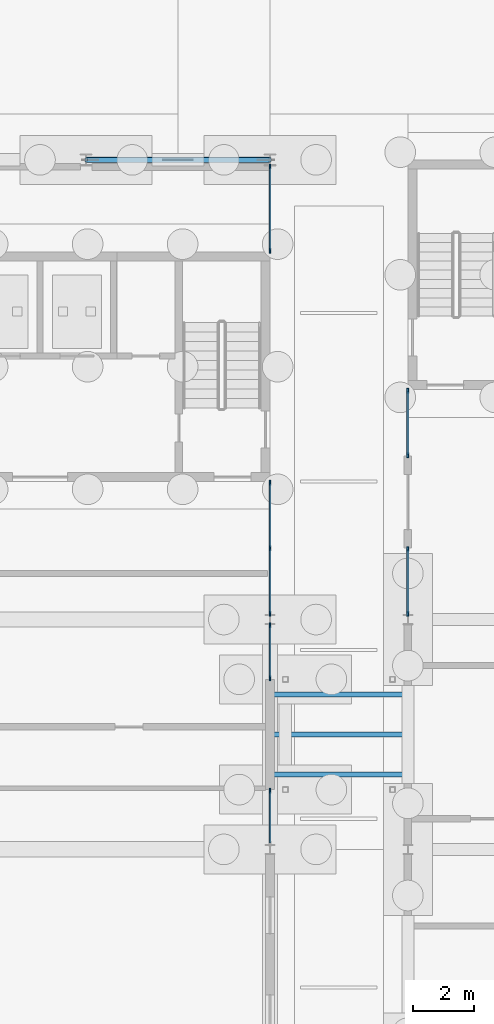
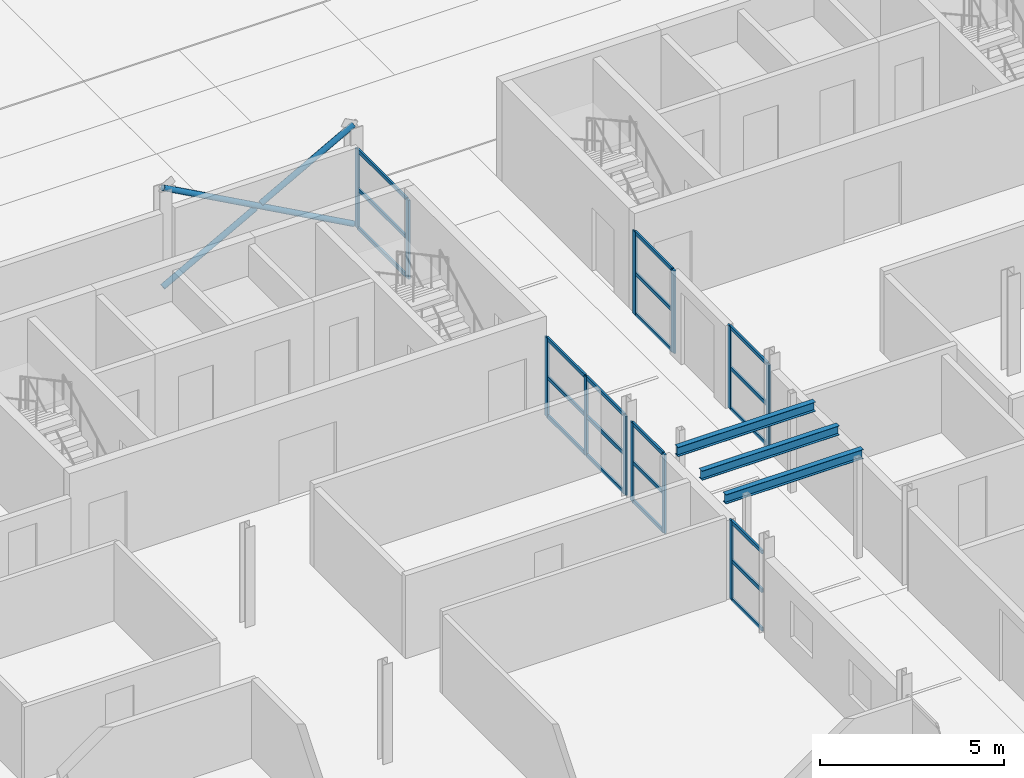
# One storey, part 47 of 130: 36 members, 3 beams, 6 elements without a shape of their own.
"""IFC4 building model written with IfcOpenShell, lengths in metres."""

from ifc_helpers import new_model, si_unit, direction, frame, origin, origin_2d, place, context, subcontext, project, spatial, rectangle, hollow_circle, i_section, extrude, material, material_profile, profile_set, type_object, element, aggregate, save


model = new_model("IFC4")

# Units and contexts
model_context = context("Model", 3, precision=1e-05, world=origin(), true_north=direction((0.0, 1.0)))
body_context = subcontext(model_context, "Body", "Model", "MODEL_VIEW")
ifc_project = project(units=[si_unit("LENGTHUNIT", "METRE"), si_unit("AREAUNIT", "SQUARE_METRE"), si_unit("VOLUMEUNIT", "CUBIC_METRE"), si_unit("PLANEANGLEUNIT", "RADIAN"), si_unit("MASSUNIT", "GRAM", prefix="KILO")], contexts=[model_context])

# Site, building, storey
site_placement = place(None, origin())
site = spatial("IfcSite", under=ifc_project, at=site_placement, CompositionType="ELEMENT")
building_placement = place(site_placement, origin())
building = spatial("IfcBuilding", under=site, at=building_placement, Name="Parallax Yard Mobility Hub", CompositionType="ELEMENT")
storey_placement = place(building_placement, origin())
storey = spatial("IfcBuildingStorey", under=building, at=storey_placement, Name="L00", CompositionType="ELEMENT", Elevation=0.0)

# Beams
ifc_material_1 = material(Name="Steel ASTM A992", Category="steel")
ifc_material_profile_1 = material_profile(ifc_material_1, i_section(OverallWidth=0.1650390625, OverallDepth=0.31005859375, WebThickness=0.005859375, FlangeThickness=0.009765625, at=origin_2d()), Name="W310x39")
ifc_profile_set_1 = profile_set([ifc_material_profile_1], Name="Steel ASTM A992")
beam_type = type_object("IfcBeamType", Name="Bridge girder W310x39", PredefinedType="BEAM", material=ifc_profile_set_1)
for number, where, z_axis, x_axis, name in (
    (1, (93.089111328125, 32.449951171875, 3.0048828125), (1.0, 0.0, 0.0), (0.0, 1.0, 0.0), "Bridge BR1 level L01 girder 1"),
    (2, (93.089111328125, 33.75, 3.0048828125), (1.0, 0.0, 0.0), (0.0, 1.0, 0.0), "Bridge BR1 level L01 girder 2"),
    (3, (93.089111328125, 35.050048828125, 3.0048828125), (1.0, 0.0, 0.0), (0.0, 1.0, 0.0), "Bridge BR1 level L01 girder 3"),
):
    element("IfcBeam", number, at=place(storey_placement, frame(where, z_axis=z_axis, x_axis=x_axis)), inside=storey, type_object=beam_type, Name=name, PredefinedType="BEAM", context=body_context, shape_type="SweptSolid", body=[
        extrude(i_section(OverallWidth=0.1650390625, OverallDepth=0.31005859375, WebThickness=0.005859375, FlangeThickness=0.009765625, at=origin_2d()), origin(), (0.0, 0.0, 1.0), 4.3212890625),
    ])

# Curtain wall, member
ifc_material_2 = material(Name="Thermally broken aluminium curtain wall system", Category="aluminium")
curtain_wall_type = type_object("IfcCurtainWallType", Name="Curtain wall run 60 x 160 frame", PredefinedType="NOTDEFINED", material=ifc_material_2)
curtain_wall_1_placement = place(storey_placement, origin())
curtain_wall_1 = element("IfcCurtainWall", 4, at=curtain_wall_1_placement, inside=storey, type_object=curtain_wall_type, Name="Curtain wall run Bus and taxi deck east end bay 4 level L00", PredefinedType="NOTDEFINED")
ifc_material_3 = material(Name="Extruded aluminium", Category="aluminium")
ifc_material_profile_2 = material_profile(ifc_material_3, rectangle(XDim=0.06005859375, YDim=0.159912109375, at=origin_2d()), Name="Mullion 60 x 160")
ifc_profile_set_2 = profile_set([ifc_material_profile_2], Name="Extruded aluminium")
member_type_1 = type_object("IfcMemberType", Name="Mullion 60 x 160", PredefinedType="MULLION", material=ifc_profile_set_2)
member_1_placement = place(storey_placement, frame((93.0, 31.919921875, 0.0), z_axis=(0.0, 0.0, 1.0), x_axis=(-1.0, 0.0, 0.0)))
member_1 = element("IfcMember", 5, at=member_1_placement, type_object=member_type_1, Name="CW1 mullion 2", PredefinedType="MULLION", context=body_context, shape_type="SweptSolid", body=[
    extrude(rectangle(XDim=0.06005859375, YDim=0.159912109375, at=origin_2d()), origin(), (0.0, 0.0, 1.0), 2.626953125),
])

# Curtain wall, members
curtain_wall_2_placement = place(storey_placement, origin())
curtain_wall_2 = element("IfcCurtainWall", 6, at=curtain_wall_2_placement, inside=storey, type_object=curtain_wall_type, Name="Curtain wall run Bus and taxi deck east end bay 4 level L00", PredefinedType="NOTDEFINED")
member_2_placement = place(storey_placement, frame((93.0, 35.580078125, 0.0), z_axis=(0.0, 0.0, 1.0), x_axis=(-1.0, 0.0, 0.0)))
member_2 = element("IfcMember", 7, at=member_2_placement, type_object=member_type_1, Name="CW1 mullion 1", PredefinedType="MULLION", context=body_context, shape_type="SweptSolid", body=[
    extrude(rectangle(XDim=0.06005859375, YDim=0.159912109375, at=origin_2d()), origin(), (0.0, 0.0, 1.0), 2.626953125),
])
member_3_placement = place(storey_placement, frame((93.0, 37.31640625, 0.0), z_axis=(0.0, 0.0, 1.0), x_axis=(-1.0, 0.0, 0.0)))
member_3 = element("IfcMember", 8, at=member_3_placement, type_object=member_type_1, Name="CW1 mullion 2", PredefinedType="MULLION", context=body_context, shape_type="SweptSolid", body=[
    extrude(rectangle(XDim=0.06005859375, YDim=0.159912109375, at=origin_2d()), origin(), (0.0, 0.0, 1.0), 2.626953125),
])

curtain_wall_3_placement = place(storey_placement, origin())
curtain_wall_3 = element("IfcCurtainWall", 9, at=curtain_wall_3_placement, inside=storey, type_object=curtain_wall_type, Name="Curtain wall run Bus and taxi deck east end bay 5 level L00", PredefinedType="NOTDEFINED")
member_4_placement = place(storey_placement, frame((93.0, 37.68359375, 0.0), z_axis=(0.0, 0.0, 1.0), x_axis=(-1.0, 0.0, 0.0)))
member_4 = element("IfcMember", 10, at=member_4_placement, type_object=member_type_1, Name="CW1 mullion 1", PredefinedType="MULLION", context=body_context, shape_type="SweptSolid", body=[
    extrude(rectangle(XDim=0.06005859375, YDim=0.159912109375, at=origin_2d()), origin(), (0.0, 0.0, 1.0), 2.626953125),
])
member_5_placement = place(storey_placement, frame((93.0, 39.82666015625, 0.0), z_axis=(0.0, 0.0, 1.0), x_axis=(-1.0, 0.0, 0.0)))
member_5 = element("IfcMember", 11, at=member_5_placement, type_object=member_type_1, Name="CW1 mullion 2", PredefinedType="MULLION", context=body_context, shape_type="SweptSolid", body=[
    extrude(rectangle(XDim=0.06005859375, YDim=0.159912109375, at=origin_2d()), origin(), (0.0, 0.0, 1.0), 2.626953125),
])
member_6_placement = place(storey_placement, frame((93.0, 41.969970703125, 0.0), z_axis=(0.0, 0.0, 1.0), x_axis=(-1.0, 0.0, 0.0)))
member_6 = element("IfcMember", 12, at=member_6_placement, type_object=member_type_1, Name="CW1 mullion 3", PredefinedType="MULLION", context=body_context, shape_type="SweptSolid", body=[
    extrude(rectangle(XDim=0.06005859375, YDim=0.159912109375, at=origin_2d()), origin(), (0.0, 0.0, 1.0), 2.626953125),
])

curtain_wall_4_placement = place(storey_placement, origin())
curtain_wall_4 = element("IfcCurtainWall", 13, at=curtain_wall_4_placement, inside=storey, type_object=curtain_wall_type, Name="Curtain wall run Bus and taxi deck east end bay 6 level L00", PredefinedType="NOTDEFINED")
member_7_placement = place(storey_placement, frame((93.0, 49.530029296875, 0.0), z_axis=(0.0, 0.0, 1.0), x_axis=(-1.0, 0.0, 0.0)))
member_7 = element("IfcMember", 14, at=member_7_placement, type_object=member_type_1, Name="CW1 mullion 1", PredefinedType="MULLION", context=body_context, shape_type="SweptSolid", body=[
    extrude(rectangle(XDim=0.06005859375, YDim=0.159912109375, at=origin_2d()), origin(), (0.0, 0.0, 1.0), 2.626953125),
])
member_8_placement = place(storey_placement, frame((93.0, 52.283447265625, 0.0), z_axis=(0.0, 0.0, 1.0), x_axis=(-1.0, 0.0, 0.0)))
member_8 = element("IfcMember", 15, at=member_8_placement, type_object=member_type_1, Name="CW1 mullion 2", PredefinedType="MULLION", context=body_context, shape_type="SweptSolid", body=[
    extrude(rectangle(XDim=0.06005859375, YDim=0.159912109375, at=origin_2d()), origin(), (0.0, 0.0, 1.0), 2.626953125),
])

curtain_wall_5_placement = place(storey_placement, origin())
curtain_wall_5 = element("IfcCurtainWall", 16, at=curtain_wall_5_placement, inside=storey, type_object=curtain_wall_type, Name="Curtain wall run Mobility service centre and workshops west bay 5 level L00", PredefinedType="NOTDEFINED")
member_9_placement = place(storey_placement, frame((97.5, 37.69140625, 0.0), z_axis=(0.0, 0.0, 1.0), x_axis=(-1.0, 0.0, 0.0)))
member_9 = element("IfcMember", 17, at=member_9_placement, type_object=member_type_1, Name="CW1 mullion 1", PredefinedType="MULLION", context=body_context, shape_type="SweptSolid", body=[
    extrude(rectangle(XDim=0.06005859375, YDim=0.159912109375, at=origin_2d()), origin(), (0.0, 0.0, 1.0), 2.7509765625),
])
member_10_placement = place(storey_placement, frame((97.5, 39.80078125, 0.0), z_axis=(0.0, 0.0, 1.0), x_axis=(-1.0, 0.0, 0.0)))
member_10 = element("IfcMember", 18, at=member_10_placement, type_object=member_type_1, Name="CW1 mullion 2", PredefinedType="MULLION", context=body_context, shape_type="SweptSolid", body=[
    extrude(rectangle(XDim=0.06005859375, YDim=0.159912109375, at=origin_2d()), origin(), (0.0, 0.0, 1.0), 2.7509765625),
])

curtain_wall_6_placement = place(storey_placement, origin())
curtain_wall_6 = element("IfcCurtainWall", 19, at=curtain_wall_6_placement, inside=storey, type_object=curtain_wall_type, Name="Curtain wall run Mobility service centre and workshops west bay 5 level L00", PredefinedType="NOTDEFINED")
member_11_placement = place(storey_placement, frame((97.5, 42.86083984375, 0.0), z_axis=(0.0, 0.0, 1.0), x_axis=(-1.0, 0.0, 0.0)))
member_11 = element("IfcMember", 20, at=member_11_placement, type_object=member_type_1, Name="CW1 mullion 1", PredefinedType="MULLION", context=body_context, shape_type="SweptSolid", body=[
    extrude(rectangle(XDim=0.06005859375, YDim=0.159912109375, at=origin_2d()), origin(), (0.0, 0.0, 1.0), 2.7509765625),
])
member_12_placement = place(storey_placement, frame((97.5, 44.969970703125, 0.0), z_axis=(0.0, 0.0, 1.0), x_axis=(-1.0, 0.0, 0.0)))
member_12 = element("IfcMember", 21, at=member_12_placement, type_object=member_type_1, Name="CW1 mullion 2", PredefinedType="MULLION", context=body_context, shape_type="SweptSolid", body=[
    extrude(rectangle(XDim=0.06005859375, YDim=0.159912109375, at=origin_2d()), origin(), (0.0, 0.0, 1.0), 2.7509765625),
])

# Member
ifc_material_profile_3 = material_profile(ifc_material_3, rectangle(XDim=0.06005859375, YDim=0.1201171875, at=origin_2d()), Name="Transom 60 x 120")
ifc_profile_set_3 = profile_set([ifc_material_profile_3], Name="Extruded aluminium")
member_type_2 = type_object("IfcMemberType", Name="Transom 60 x 120", PredefinedType="USERDEFINED", material=ifc_profile_set_3)
member_13_placement = place(storey_placement, frame((93.0, 30.21337890625, 0.030029296875), z_axis=(0.0, 1.0, 0.0), x_axis=(-1.0, 0.0, 0.0)))
member_13 = element("IfcMember", 22, at=member_13_placement, type_object=member_type_2, Name="CW1 transom 1.1", ObjectType="TRANSOM", PredefinedType="USERDEFINED", context=body_context, shape_type="SweptSolid", body=[
    extrude(rectangle(XDim=0.06005859375, YDim=0.1201171875, at=origin_2d()), origin(), (0.0, 0.0, 1.0), 1.676513671875),
])

member_14_placement = place(storey_placement, frame((93.0, 30.21337890625, 1.3134765625), z_axis=(0.0, 1.0, 0.0), x_axis=(-1.0, 0.0, 0.0)))
member_14 = element("IfcMember", 23, at=member_14_placement, type_object=member_type_2, Name="CW1 transom 1.2", ObjectType="TRANSOM", PredefinedType="USERDEFINED", context=body_context, shape_type="SweptSolid", body=[
    extrude(rectangle(XDim=0.06005859375, YDim=0.1201171875, at=origin_2d()), origin(), (0.0, 0.0, 1.0), 1.676513671875),
])

member_15_placement = place(storey_placement, frame((93.0, 30.21337890625, 2.596923828125), z_axis=(0.0, 1.0, 0.0), x_axis=(-1.0, 0.0, 0.0)))
member_15 = element("IfcMember", 24, at=member_15_placement, type_object=member_type_2, Name="CW1 transom 1.3", ObjectType="TRANSOM", PredefinedType="USERDEFINED", context=body_context, shape_type="SweptSolid", body=[
    extrude(rectangle(XDim=0.06005859375, YDim=0.1201171875, at=origin_2d()), origin(), (0.0, 0.0, 1.0), 1.676513671875),
])

aggregate(curtain_wall_1, [member_1, member_13, member_14, member_15])

member_16_placement = place(storey_placement, frame((93.0, 35.610107421875, 0.030029296875), z_axis=(0.0, 1.0, 0.0), x_axis=(-1.0, 0.0, 0.0)))
member_16 = element("IfcMember", 25, at=member_16_placement, type_object=member_type_2, Name="CW1 transom 1.1", ObjectType="TRANSOM", PredefinedType="USERDEFINED", context=body_context, shape_type="SweptSolid", body=[
    extrude(rectangle(XDim=0.06005859375, YDim=0.1201171875, at=origin_2d()), origin(), (0.0, 0.0, 1.0), 1.676513671875),
])

member_17_placement = place(storey_placement, frame((93.0, 35.610107421875, 1.3134765625), z_axis=(0.0, 1.0, 0.0), x_axis=(-1.0, 0.0, 0.0)))
member_17 = element("IfcMember", 26, at=member_17_placement, type_object=member_type_2, Name="CW1 transom 1.2", ObjectType="TRANSOM", PredefinedType="USERDEFINED", context=body_context, shape_type="SweptSolid", body=[
    extrude(rectangle(XDim=0.06005859375, YDim=0.1201171875, at=origin_2d()), origin(), (0.0, 0.0, 1.0), 1.676513671875),
])

member_18_placement = place(storey_placement, frame((93.0, 35.610107421875, 2.596923828125), z_axis=(0.0, 1.0, 0.0), x_axis=(-1.0, 0.0, 0.0)))
member_18 = element("IfcMember", 27, at=member_18_placement, type_object=member_type_2, Name="CW1 transom 1.3", ObjectType="TRANSOM", PredefinedType="USERDEFINED", context=body_context, shape_type="SweptSolid", body=[
    extrude(rectangle(XDim=0.06005859375, YDim=0.1201171875, at=origin_2d()), origin(), (0.0, 0.0, 1.0), 1.676513671875),
])

aggregate(curtain_wall_2, [member_2, member_3, member_16, member_17, member_18])

member_19_placement = place(storey_placement, frame((93.0, 37.71337890625, 0.030029296875), z_axis=(0.0, 1.0, 0.0), x_axis=(-1.0, 0.0, 0.0)))
member_19 = element("IfcMember", 28, at=member_19_placement, type_object=member_type_2, Name="CW1 transom 1.1", ObjectType="TRANSOM", PredefinedType="USERDEFINED", context=body_context, shape_type="SweptSolid", body=[
    extrude(rectangle(XDim=0.06005859375, YDim=0.1201171875, at=origin_2d()), origin(), (0.0, 0.0, 1.0), 2.083251953125),
])

member_20_placement = place(storey_placement, frame((93.0, 37.71337890625, 1.3134765625), z_axis=(0.0, 1.0, 0.0), x_axis=(-1.0, 0.0, 0.0)))
member_20 = element("IfcMember", 29, at=member_20_placement, type_object=member_type_2, Name="CW1 transom 1.2", ObjectType="TRANSOM", PredefinedType="USERDEFINED", context=body_context, shape_type="SweptSolid", body=[
    extrude(rectangle(XDim=0.06005859375, YDim=0.1201171875, at=origin_2d()), origin(), (0.0, 0.0, 1.0), 2.083251953125),
])

member_21_placement = place(storey_placement, frame((93.0, 37.71337890625, 2.596923828125), z_axis=(0.0, 1.0, 0.0), x_axis=(-1.0, 0.0, 0.0)))
member_21 = element("IfcMember", 30, at=member_21_placement, type_object=member_type_2, Name="CW1 transom 1.3", ObjectType="TRANSOM", PredefinedType="USERDEFINED", context=body_context, shape_type="SweptSolid", body=[
    extrude(rectangle(XDim=0.06005859375, YDim=0.1201171875, at=origin_2d()), origin(), (0.0, 0.0, 1.0), 2.083251953125),
])

member_22_placement = place(storey_placement, frame((93.0, 39.856689453125, 0.030029296875), z_axis=(0.0, 1.0, 0.0), x_axis=(-1.0, 0.0, 0.0)))
member_22 = element("IfcMember", 31, at=member_22_placement, type_object=member_type_2, Name="CW1 transom 2.1", ObjectType="TRANSOM", PredefinedType="USERDEFINED", context=body_context, shape_type="SweptSolid", body=[
    extrude(rectangle(XDim=0.06005859375, YDim=0.1201171875, at=origin_2d()), origin(), (0.0, 0.0, 1.0), 2.083251953125),
])

member_23_placement = place(storey_placement, frame((93.0, 39.856689453125, 1.3134765625), z_axis=(0.0, 1.0, 0.0), x_axis=(-1.0, 0.0, 0.0)))
member_23 = element("IfcMember", 32, at=member_23_placement, type_object=member_type_2, Name="CW1 transom 2.2", ObjectType="TRANSOM", PredefinedType="USERDEFINED", context=body_context, shape_type="SweptSolid", body=[
    extrude(rectangle(XDim=0.06005859375, YDim=0.1201171875, at=origin_2d()), origin(), (0.0, 0.0, 1.0), 2.083251953125),
])

member_24_placement = place(storey_placement, frame((93.0, 39.856689453125, 2.596923828125), z_axis=(0.0, 1.0, 0.0), x_axis=(-1.0, 0.0, 0.0)))
member_24 = element("IfcMember", 33, at=member_24_placement, type_object=member_type_2, Name="CW1 transom 2.3", ObjectType="TRANSOM", PredefinedType="USERDEFINED", context=body_context, shape_type="SweptSolid", body=[
    extrude(rectangle(XDim=0.06005859375, YDim=0.1201171875, at=origin_2d()), origin(), (0.0, 0.0, 1.0), 2.083251953125),
])

aggregate(curtain_wall_3, [member_4, member_5, member_6, member_19, member_20, member_21, member_22, member_23, member_24])

member_25_placement = place(storey_placement, frame((93.0, 49.56005859375, 0.030029296875), z_axis=(0.0, 1.0, 0.0), x_axis=(-1.0, 0.0, 0.0)))
member_25 = element("IfcMember", 34, at=member_25_placement, type_object=member_type_2, Name="CW1 transom 1.1", ObjectType="TRANSOM", PredefinedType="USERDEFINED", context=body_context, shape_type="SweptSolid", body=[
    extrude(rectangle(XDim=0.06005859375, YDim=0.1201171875, at=origin_2d()), origin(), (0.0, 0.0, 1.0), 2.693359375),
])

member_26_placement = place(storey_placement, frame((93.0, 49.56005859375, 1.3134765625), z_axis=(0.0, 1.0, 0.0), x_axis=(-1.0, 0.0, 0.0)))
member_26 = element("IfcMember", 35, at=member_26_placement, type_object=member_type_2, Name="CW1 transom 1.2", ObjectType="TRANSOM", PredefinedType="USERDEFINED", context=body_context, shape_type="SweptSolid", body=[
    extrude(rectangle(XDim=0.06005859375, YDim=0.1201171875, at=origin_2d()), origin(), (0.0, 0.0, 1.0), 2.693359375),
])

member_27_placement = place(storey_placement, frame((93.0, 49.56005859375, 2.596923828125), z_axis=(0.0, 1.0, 0.0), x_axis=(-1.0, 0.0, 0.0)))
member_27 = element("IfcMember", 36, at=member_27_placement, type_object=member_type_2, Name="CW1 transom 1.3", ObjectType="TRANSOM", PredefinedType="USERDEFINED", context=body_context, shape_type="SweptSolid", body=[
    extrude(rectangle(XDim=0.06005859375, YDim=0.1201171875, at=origin_2d()), origin(), (0.0, 0.0, 1.0), 2.693359375),
])

aggregate(curtain_wall_4, [member_7, member_8, member_25, member_26, member_27])

member_28_placement = place(storey_placement, frame((97.5, 37.721435546875, 0.030029296875), z_axis=(0.0, 1.0, 0.0), x_axis=(-1.0, 0.0, 0.0)))
member_28 = element("IfcMember", 37, at=member_28_placement, type_object=member_type_2, Name="CW1 transom 1.1", ObjectType="TRANSOM", PredefinedType="USERDEFINED", context=body_context, shape_type="SweptSolid", body=[
    extrude(rectangle(XDim=0.06005859375, YDim=0.1201171875, at=origin_2d()), origin(), (0.0, 0.0, 1.0), 2.04931640625),
])

member_29_placement = place(storey_placement, frame((97.5, 37.721435546875, 1.37548828125), z_axis=(0.0, 1.0, 0.0), x_axis=(-1.0, 0.0, 0.0)))
member_29 = element("IfcMember", 38, at=member_29_placement, type_object=member_type_2, Name="CW1 transom 1.2", ObjectType="TRANSOM", PredefinedType="USERDEFINED", context=body_context, shape_type="SweptSolid", body=[
    extrude(rectangle(XDim=0.06005859375, YDim=0.1201171875, at=origin_2d()), origin(), (0.0, 0.0, 1.0), 2.04931640625),
])

member_30_placement = place(storey_placement, frame((97.5, 37.721435546875, 2.720947265625), z_axis=(0.0, 1.0, 0.0), x_axis=(-1.0, 0.0, 0.0)))
member_30 = element("IfcMember", 39, at=member_30_placement, type_object=member_type_2, Name="CW1 transom 1.3", ObjectType="TRANSOM", PredefinedType="USERDEFINED", context=body_context, shape_type="SweptSolid", body=[
    extrude(rectangle(XDim=0.06005859375, YDim=0.1201171875, at=origin_2d()), origin(), (0.0, 0.0, 1.0), 2.04931640625),
])

aggregate(curtain_wall_5, [member_9, member_10, member_28, member_29, member_30])

member_31_placement = place(storey_placement, frame((97.5, 42.890869140625, 0.030029296875), z_axis=(0.0, 1.0, 0.0), x_axis=(-1.0, 0.0, 0.0)))
member_31 = element("IfcMember", 40, at=member_31_placement, type_object=member_type_2, Name="CW1 transom 1.1", ObjectType="TRANSOM", PredefinedType="USERDEFINED", context=body_context, shape_type="SweptSolid", body=[
    extrude(rectangle(XDim=0.06005859375, YDim=0.1201171875, at=origin_2d()), origin(), (0.0, 0.0, 1.0), 2.049072265625),
])

member_32_placement = place(storey_placement, frame((97.5, 42.890869140625, 1.37548828125), z_axis=(0.0, 1.0, 0.0), x_axis=(-1.0, 0.0, 0.0)))
member_32 = element("IfcMember", 41, at=member_32_placement, type_object=member_type_2, Name="CW1 transom 1.2", ObjectType="TRANSOM", PredefinedType="USERDEFINED", context=body_context, shape_type="SweptSolid", body=[
    extrude(rectangle(XDim=0.06005859375, YDim=0.1201171875, at=origin_2d()), origin(), (0.0, 0.0, 1.0), 2.049072265625),
])

member_33_placement = place(storey_placement, frame((97.5, 42.890869140625, 2.720947265625), z_axis=(0.0, 1.0, 0.0), x_axis=(-1.0, 0.0, 0.0)))
member_33 = element("IfcMember", 42, at=member_33_placement, type_object=member_type_2, Name="CW1 transom 1.3", ObjectType="TRANSOM", PredefinedType="USERDEFINED", context=body_context, shape_type="SweptSolid", body=[
    extrude(rectangle(XDim=0.06005859375, YDim=0.1201171875, at=origin_2d()), origin(), (0.0, 0.0, 1.0), 2.049072265625),
])

aggregate(curtain_wall_6, [member_11, member_12, member_31, member_32, member_33])

# Members
ifc_material_4 = material(Name="Steel ASTM A500 Gr C", Category="steel")
ifc_material_profile_4 = material_profile(ifc_material_4, hollow_circle(Radius=0.0888671875, WallThickness=0.0078125, at=origin_2d()), Name="HSS177.8x7.9")
ifc_profile_set_4 = profile_set([ifc_material_profile_4], Name="Steel ASTM A500 Gr C")
member_type_3 = type_object("IfcMemberType", Name="Wall brace HSS177.8x7.9", PredefinedType="BRACE", material=ifc_profile_set_4)
member_34_placement = place(storey_placement, frame((93.0, 52.5, 0.0), z_axis=(-0.876212897641, 0.0, 0.481924224341), x_axis=(0.0, -1.0, 0.0)))
element("IfcMember", 43, at=member_34_placement, inside=storey, type_object=member_type_3, Name="X brace east end bay north face level 0 2", PredefinedType="BRACE", context=body_context, shape_type="SweptSolid", body=[
    extrude(hollow_circle(Radius=0.0888671875, WallThickness=0.0078125, at=origin_2d()), origin(), (0.0, 0.0, 1.0), 6.84765625),
])
for number, where, z_axis, x_axis, name in (
    (44, (87.0, 52.5, 0.0), (0.876220551786, 0.0, 0.481910307659), (0.0, 1.0, 0.0), "X brace east end bay north face level 0 1 (half 1)"),
    (45, (90.081787109375, 52.5, 1.695068359375), (0.876220551786, 0.0, 0.481910307659), (0.0, 1.0, 0.0), "X brace east end bay north face level 0 1 (half 2)"),
):
    element("IfcMember", number, at=place(storey_placement, frame(where, z_axis=z_axis, x_axis=x_axis)), inside=storey, type_object=member_type_3, Name=name, PredefinedType="BRACE", context=body_context, shape_type="SweptSolid", body=[
        extrude(hollow_circle(Radius=0.0888671875, WallThickness=0.0078125, at=origin_2d()), origin(), (0.0, 0.0, 1.0), 3.33056640625),
    ])

save(model, "model.ifc")
